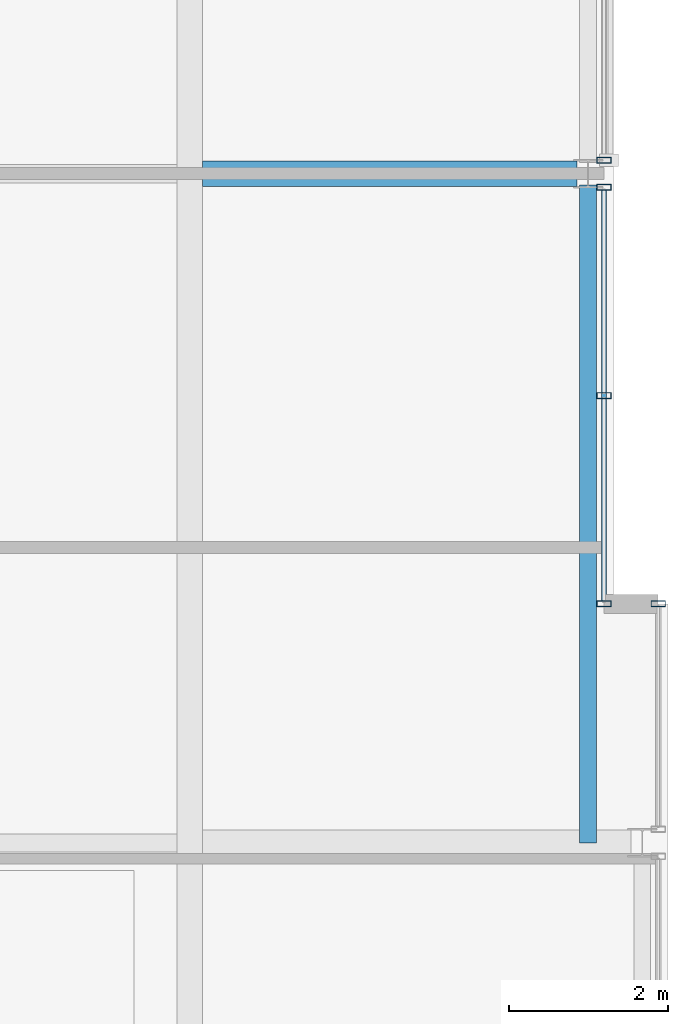
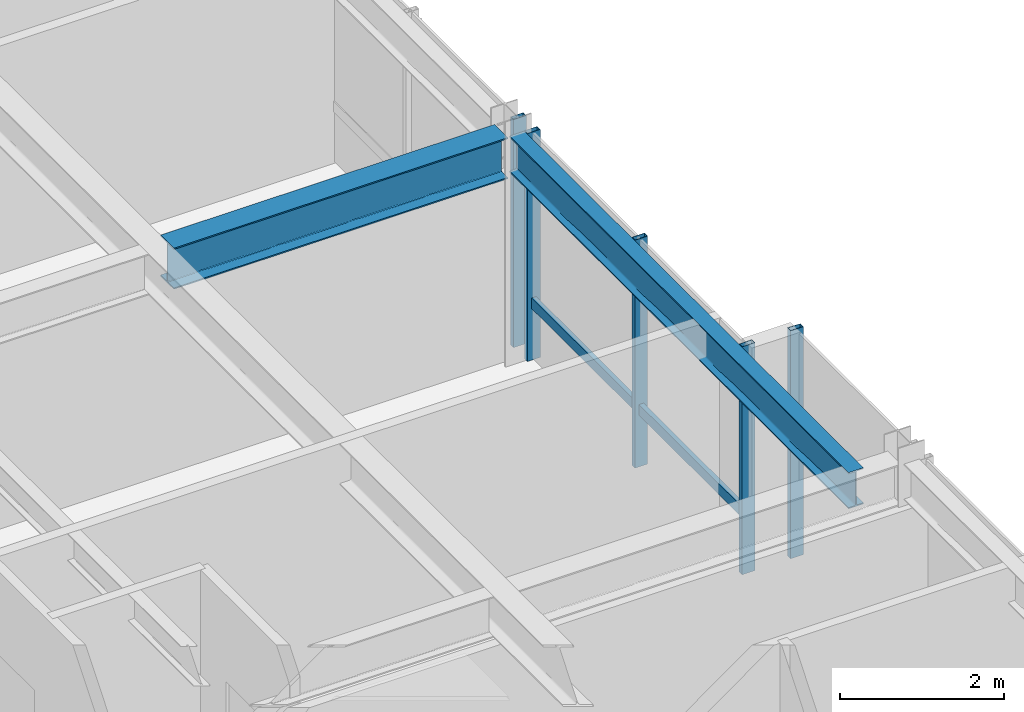
# One storey, part 19 of 34: 6 members, 2 beams, 3 elements without a shape of their own.
"""IFC4 building model written with IfcOpenShell, lengths in metres."""

from ifc_helpers import new_model, si_unit, direction, frame, origin, origin_2d, place, context, subcontext, project, spatial, hollow_rectangle, i_section, extrude, material, layer, layer_set, material_profile, profile_set, type_object, element, aggregate, save


model = new_model("IFC4")

# Units and contexts
model_context = context("Model", 3, precision=1e-05, world=origin(), true_north=direction((0.0, 1.0)))
body_context = subcontext(model_context, "Body", "Model", "MODEL_VIEW")
ifc_project = project(units=[si_unit("LENGTHUNIT", "METRE"), si_unit("AREAUNIT", "SQUARE_METRE"), si_unit("VOLUMEUNIT", "CUBIC_METRE"), si_unit("PLANEANGLEUNIT", "RADIAN"), si_unit("MASSUNIT", "GRAM", prefix="KILO")], contexts=[model_context])

# Site, building, storey
site_placement = place(None, origin())
site = spatial("IfcSite", under=ifc_project, at=site_placement, CompositionType="ELEMENT")
building_placement = place(site_placement, origin())
building = spatial("IfcBuilding", under=site, at=building_placement, Name="Drelvath Grand Hotel", CompositionType="ELEMENT")
storey_placement = place(building_placement, frame((0.0, 0.0, 272.300048828125)))
storey = spatial("IfcBuildingStorey", under=building, at=storey_placement, Name="L71", CompositionType="ELEMENT", Elevation=272.300048828125)

# Curtain wall, members
ifc_material_1 = material(Name="Platinum-Mist Anodised Aluminium Frame", Category="aluminium")
ifc_layer = layer(ifc_material_1, 0.199951171875)
ifc_layer_set = layer_set([ifc_layer], Name="Platinum-Mist Anodised Aluminium Frame")
curtain_wall_type = type_object("IfcCurtainWallType", Name="Stick Curtain Wall CW-05 Platinum Mist High-Rise", PredefinedType="NOTDEFINED", material=ifc_layer_set)
curtain_wall_1_placement = place(storey_placement, origin())
curtain_wall_1 = element("IfcCurtainWall", 1, at=curtain_wall_1_placement, inside=storey, type_object=curtain_wall_type, Name="L71 CW-05 Curtain Wall CW05-L71-EM1", PredefinedType="NOTDEFINED")
ifc_material_profile_1 = material_profile(ifc_material_1, hollow_rectangle(XDim=0.06494140625, YDim=0.159912109375, WallThickness=0.00390625, at=origin_2d()), Name="HSS160X65X4")
ifc_profile_set_1 = profile_set([ifc_material_profile_1], Name="Platinum-Mist Anodised Aluminium Frame")
member_type_1 = type_object("IfcMemberType", Name="Curtain Wall Horizontal Transom CW-05 HSS160X65X4", PredefinedType="USERDEFINED", material=ifc_profile_set_1)
member_1_placement = place(storey_placement, frame((21.39990234375, 26.7900390625, 0.847412109375), z_axis=(0.0, -1.0, 0.0), x_axis=(1.0, 0.0, 0.0)))
member_1 = element("IfcMember", 2, at=member_1_placement, type_object=member_type_1, Name="CW05-L71-EM1 Sill Transom", ObjectType="TRANSOM", PredefinedType="USERDEFINED", context=body_context, shape_type="SweptSolid", body=[
    extrude(hollow_rectangle(XDim=0.06494140625, YDim=0.159912109375, WallThickness=0.00390625, at=origin_2d()), origin(), (0.0, 0.0, 1.0), 5.150146484375),
])
ifc_material_profile_2 = material_profile(ifc_material_1, hollow_rectangle(XDim=0.074951171875, YDim=0.179931640625, WallThickness=0.0048828125, at=origin_2d()), Name="HSS180X75X5")
ifc_profile_set_2 = profile_set([ifc_material_profile_2], Name="Platinum-Mist Anodised Aluminium Frame")
member_type_2 = type_object("IfcMemberType", Name="Curtain Wall Vertical Mullion CW-05 HSS180X75X5", PredefinedType="MULLION", material=ifc_profile_set_2)
member_2_placement = place(storey_placement, frame((21.39990234375, 26.830078125, 0.0), z_axis=(0.0, 0.0, 1.0), x_axis=(0.0, 1.0, 0.0)))
member_2 = element("IfcMember", 3, at=member_2_placement, type_object=member_type_2, Name="CW05-L71-EM1 Mullion 1", PredefinedType="MULLION", context=body_context, shape_type="SweptSolid", body=[
    extrude(hollow_rectangle(XDim=0.074951171875, YDim=0.179931640625, WallThickness=0.0048828125, at=origin_2d()), origin(), (0.0, 0.0, 1.0), 3.389892578125),
])
member_3_placement = place(storey_placement, frame((21.39990234375, 24.215087890625, 0.0), z_axis=(0.0, 0.0, 1.0), x_axis=(0.0, 1.0, 0.0)))
member_3 = element("IfcMember", 4, at=member_3_placement, type_object=member_type_2, Name="CW05-L71-EM1 Mullion 2", PredefinedType="MULLION", context=body_context, shape_type="SweptSolid", body=[
    extrude(hollow_rectangle(XDim=0.074951171875, YDim=0.179931640625, WallThickness=0.0048828125, at=origin_2d()), origin(), (0.0, 0.0, 1.0), 3.389892578125),
])
member_4_placement = place(storey_placement, frame((21.39990234375, 21.60009765625, 0.0), z_axis=(0.0, 0.0, 1.0), x_axis=(0.0, 1.0, 0.0)))
member_4 = element("IfcMember", 5, at=member_4_placement, type_object=member_type_2, Name="CW05-L71-EM1 Mullion 3", PredefinedType="MULLION", context=body_context, shape_type="SweptSolid", body=[
    extrude(hollow_rectangle(XDim=0.074951171875, YDim=0.179931640625, WallThickness=0.0048828125, at=origin_2d()), origin(), (0.0, 0.0, 1.0), 3.389892578125),
])
aggregate(curtain_wall_1, [member_2, member_3, member_4, member_1])

# Curtain wall, member
curtain_wall_2_placement = place(storey_placement, origin())
curtain_wall_2 = element("IfcCurtainWall", 6, at=curtain_wall_2_placement, inside=storey, type_object=curtain_wall_type, Name="L71 CW-05 Curtain Wall CW05-L71-EM2", PredefinedType="NOTDEFINED")
member_5_placement = place(storey_placement, frame((21.39990234375, 27.169921875, 0.0), z_axis=(0.0, 0.0, 1.0), x_axis=(0.0, 1.0, 0.0)))
member_5 = element("IfcMember", 7, at=member_5_placement, type_object=member_type_2, Name="CW05-L71-EM2 Mullion 3", PredefinedType="MULLION", context=body_context, shape_type="SweptSolid", body=[
    extrude(hollow_rectangle(XDim=0.074951171875, YDim=0.179931640625, WallThickness=0.0048828125, at=origin_2d()), origin(), (0.0, 0.0, 1.0), 3.389892578125),
])
aggregate(curtain_wall_2, [member_5])

curtain_wall_3_placement = place(storey_placement, origin())
curtain_wall_3 = element("IfcCurtainWall", 8, at=curtain_wall_3_placement, inside=storey, type_object=curtain_wall_type, Name="L71 CW-05 Curtain Wall CW05-L71-ES2", PredefinedType="NOTDEFINED")
member_6_placement = place(storey_placement, frame((22.080078125, 21.60009765625, 0.0), z_axis=(0.0, 0.0, 1.0), x_axis=(0.0, 1.0, 0.0)))
member_6 = element("IfcMember", 9, at=member_6_placement, type_object=member_type_2, Name="CW05-L71-ES2 Mullion 1", PredefinedType="MULLION", context=body_context, shape_type="SweptSolid", body=[
    extrude(hollow_rectangle(XDim=0.074951171875, YDim=0.179931640625, WallThickness=0.0048828125, at=origin_2d()), origin(), (0.0, 0.0, 1.0), 3.389892578125),
])
aggregate(curtain_wall_3, [member_6])

# Beams
ifc_material_2 = material(Name="Steel ASTM A992 Gr 50", Category="steel")
ifc_material_profile_3 = material_profile(ifc_material_2, i_section(OverallWidth=0.210205078125, OverallDepth=0.53662109375, WebThickness=0.010986328125, FlangeThickness=0.017333984375, FilletRadius=0.01806640625, at=origin_2d()), Name="W21X68")
ifc_profile_set_3 = profile_set([ifc_material_profile_3], Name="Steel ASTM A992 Gr 50")
beam_type_1 = type_object("IfcBeamType", Name="Perimeter Spandrel Beam W21X68", PredefinedType="SPANDREL", material=ifc_profile_set_3)
beam_1_placement = place(storey_placement, frame((21.199951171875, 18.60009765625, 3.12158203125), z_axis=(0.0, 1.0, 0.0), x_axis=(-1.0, 0.0, 0.0)))
element("IfcBeam", 10, at=beam_1_placement, inside=storey, type_object=beam_type_1, Name="L71 Spandrel East Mid S", PredefinedType="SPANDREL", context=body_context, shape_type="SweptSolid", body=[
    extrude(i_section(OverallWidth=0.210205078125, OverallDepth=0.53662109375, WebThickness=0.010986328125, FlangeThickness=0.017333984375, FilletRadius=0.01806640625, at=origin_2d()), origin(), (0.0, 0.0, 1.0), 8.260009765625),
])
ifc_material_profile_4 = material_profile(ifc_material_2, i_section(OverallWidth=0.323974609375, OverallDepth=0.611083984375, WebThickness=0.0126953125, FlangeThickness=0.01904296875, FilletRadius=0.02197265625, at=origin_2d()), Name="W24X104")
ifc_profile_set_4 = profile_set([ifc_material_profile_4], Name="Steel ASTM A992 Gr 50")
beam_type_2 = type_object("IfcBeamType", Name="Primary Floor Girder W24X104", PredefinedType="BEAM", material=ifc_profile_set_4)
beam_2_placement = place(storey_placement, frame((16.362060546875, 27.0, 3.08447265625), z_axis=(1.0, 0.0, 0.0), x_axis=(0.0, 1.0, 0.0)))
element("IfcBeam", 11, at=beam_2_placement, inside=storey, type_object=beam_type_2, Name="L71 East Wing Girder E", PredefinedType="BEAM", context=body_context, shape_type="SweptSolid", body=[
    extrude(i_section(OverallWidth=0.323974609375, OverallDepth=0.611083984375, WebThickness=0.0126953125, FlangeThickness=0.01904296875, FilletRadius=0.02197265625, at=origin_2d()), origin(), (0.0, 0.0, 1.0), 4.697998046875),
])

save(model, "model.ifc")
